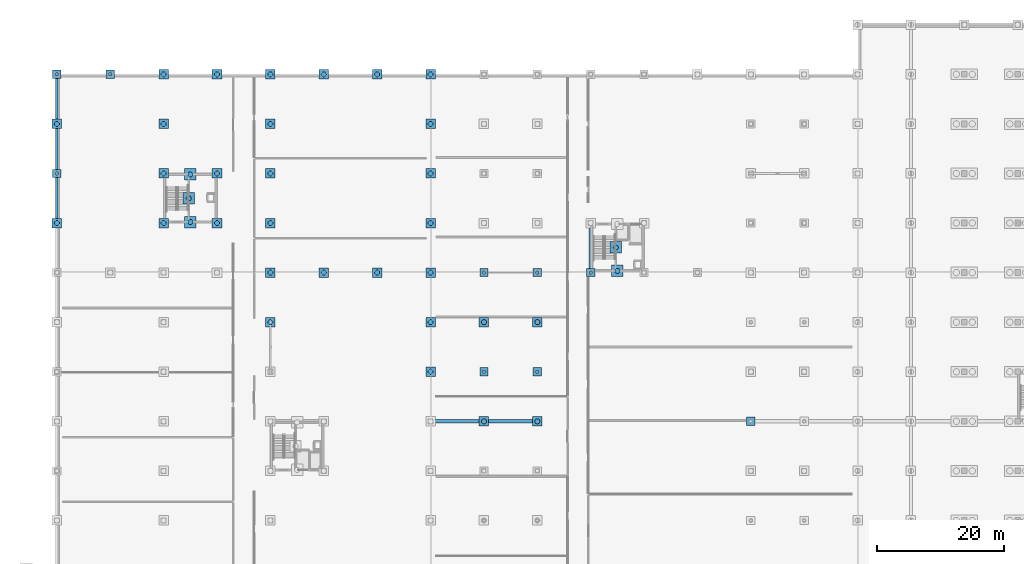
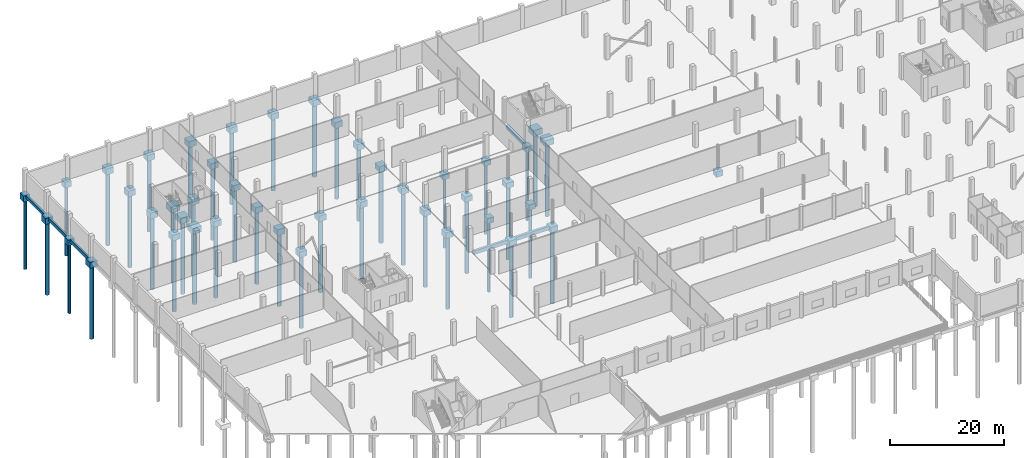
# One storey, part 4 of 48: 50 footings, 43 piles.
"""IFC4 building model written with IfcOpenShell, lengths in metres."""

from ifc_helpers import new_model, si_unit, direction, frame, origin, origin_2d, place, context, subcontext, project, spatial, polyline, rectangle, circle, outline, extrude, material, material_profile, profile_set, type_object, element, save


model = new_model("IFC4")

# Units and contexts
model_context = context("Model", 3, precision=1e-05, world=origin(), true_north=direction((0.0, 1.0)))
body_context = subcontext(model_context, "Body", "Model", "MODEL_VIEW")
ifc_project = project(units=[si_unit("LENGTHUNIT", "METRE"), si_unit("AREAUNIT", "SQUARE_METRE"), si_unit("VOLUMEUNIT", "CUBIC_METRE"), si_unit("PLANEANGLEUNIT", "RADIAN"), si_unit("MASSUNIT", "GRAM", prefix="KILO")], contexts=[model_context])

# Site, building, storey
site_placement = place(None, origin())
site = spatial("IfcSite", under=ifc_project, at=site_placement, CompositionType="ELEMENT")
building_placement = place(site_placement, origin())
building = spatial("IfcBuilding", under=site, at=building_placement, Name="Nabrawat Pavilion Hospital", CompositionType="ELEMENT")
storey_placement = place(building_placement, frame((0.0, 0.0, -5.10009765625)))
storey = spatial("IfcBuildingStorey", under=building, at=storey_placement, Name="B1", CompositionType="ELEMENT", Elevation=-5.10009765625)

# Piles
ifc_material = material(Name="Concrete C35/45", Category="concrete")
ifc_material_profile_1 = material_profile(ifc_material, circle(Radius=0.300048828125, at=origin_2d()), Name="DIA 600")
ifc_profile_set_1 = profile_set([ifc_material_profile_1], Name="Concrete C35/45")
pile_type_1 = type_object("IfcPileType", Name="Bored Concrete Pile D600", PredefinedType="BORED", material=ifc_profile_set_1)
for number, where, z_axis, x_axis, name in (
    (1, (0.0, 101.39990234375, -1.39990234375), (0.0, 0.0, -1.0), (1.0, 0.0, 0.0), "Bored Pile P-600 0014"),
    (2, (0.0, 117.0, -1.39990234375), (0.0, 0.0, -1.0), (1.0, 0.0, 0.0), "Bored Pile P-600 0016"),
    (3, (8.39990234375, 117.0, -1.39990234375), (0.0, 0.0, -1.0), (1.0, 0.0, 0.0), "Bored Pile P-600 0020"),
):
    element("IfcPile", number, at=place(storey_placement, frame(where, z_axis=z_axis, x_axis=x_axis)), inside=storey, type_object=pile_type_1, Name=name, PredefinedType="BORED", context=body_context, shape_type="SweptSolid", body=[
        extrude(circle(Radius=0.300048828125, at=origin_2d()), origin(), (0.0, 0.0, 1.0), 15.0),
    ])
for number, where, z_axis, x_axis, name in (
    (4, (67.199951171875, 70.199951171875, -1.27001953125), (0.0, 0.0, -1.0), (1.0, 0.0, 0.0), "Bored Pile P-600 0094"),
    (5, (67.199951171875, 85.800048828125, -1.27001953125), (0.0, 0.0, -1.0), (1.0, 0.0, 0.0), "Bored Pile P-600 0096"),
    (6, (75.60009765625, 70.199951171875, -1.27001953125), (0.0, 0.0, -1.0), (1.0, 0.0, 0.0), "Bored Pile P-600 0108"),
    (7, (75.60009765625, 85.800048828125, -1.27001953125), (0.0, 0.0, -1.0), (1.0, 0.0, 0.0), "Bored Pile P-600 0110"),
    (8, (84.0, 85.800048828125, -1.27001953125), (0.0, 0.0, -1.0), (1.0, 0.0, 0.0), "Bored Pile P-600 0118"),
):
    element("IfcPile", number, at=place(storey_placement, frame(where, z_axis=z_axis, x_axis=x_axis)), inside=storey, type_object=pile_type_1, Name=name, PredefinedType="BORED", context=body_context, shape_type="SweptSolid", body=[
        extrude(circle(Radius=0.300048828125, at=origin_2d()), origin(), (0.0, 0.0, 1.0), 15.1298828125),
    ])
ifc_material_profile_2 = material_profile(ifc_material, circle(Radius=0.39990234375, at=origin_2d()), Name="DIA 800")
ifc_profile_set_2 = profile_set([ifc_material_profile_2], Name="Concrete C35/45")
pile_type_2 = type_object("IfcPileType", Name="Bored Concrete Pile D800", PredefinedType="BORED", material=ifc_profile_set_2)
for number, where, z_axis, x_axis, name in (
    (9, (0.0, 93.60009765625, -1.39990234375), (0.0, 0.0, -1.0), (1.0, 0.0, 0.0), "Bored Pile P-800 0013"),
    (10, (0.0, 109.199951171875, -1.39990234375), (0.0, 0.0, -1.0), (1.0, 0.0, 0.0), "Bored Pile P-800 0015"),
    (11, (16.800048828125, 93.60009765625, -1.39990234375), (0.0, 0.0, -1.0), (1.0, 0.0, 0.0), "Bored Pile P-800 0033"),
    (12, (16.800048828125, 101.39990234375, -1.39990234375), (0.0, 0.0, -1.0), (1.0, 0.0, 0.0), "Bored Pile P-800 0034"),
    (13, (16.800048828125, 109.199951171875, -1.39990234375), (0.0, 0.0, -1.0), (1.0, 0.0, 0.0), "Bored Pile P-800 0035"),
    (14, (16.800048828125, 117.0, -1.39990234375), (0.0, 0.0, -1.0), (1.0, 0.0, 0.0), "Bored Pile P-800 0036"),
    (15, (25.199951171875, 93.60009765625, -1.39990234375), (0.0, 0.0, -1.0), (1.0, 0.0, 0.0), "Bored Pile P-800 0042"),
    (16, (25.199951171875, 101.39990234375, -1.39990234375), (0.0, 0.0, -1.0), (1.0, 0.0, 0.0), "Bored Pile P-800 0043"),
    (17, (25.199951171875, 117.0, -1.39990234375), (0.0, 0.0, -1.0), (1.0, 0.0, 0.0), "Bored Pile P-800 0044"),
    (18, (33.60009765625, 78.0, -1.39990234375), (0.0, 0.0, -1.0), (1.0, 0.0, 0.0), "Bored Pile P-800 0055"),
    (19, (33.60009765625, 85.800048828125, -1.39990234375), (0.0, 0.0, -1.0), (1.0, 0.0, 0.0), "Bored Pile P-800 0056"),
    (20, (33.60009765625, 93.60009765625, -1.39990234375), (0.0, 0.0, -1.0), (1.0, 0.0, 0.0), "Bored Pile P-800 0057"),
    (21, (33.60009765625, 101.39990234375, -1.39990234375), (0.0, 0.0, -1.0), (1.0, 0.0, 0.0), "Bored Pile P-800 0058"),
    (22, (33.60009765625, 109.199951171875, -1.39990234375), (0.0, 0.0, -1.0), (1.0, 0.0, 0.0), "Bored Pile P-800 0059"),
    (23, (33.60009765625, 117.0, -1.39990234375), (0.0, 0.0, -1.0), (1.0, 0.0, 0.0), "Bored Pile P-800 0060"),
    (24, (42.0, 85.800048828125, -1.39990234375), (0.0, 0.0, -1.0), (1.0, 0.0, 0.0), "Bored Pile P-800 0065"),
    (25, (42.0, 117.0, -1.39990234375), (0.0, 0.0, -1.0), (1.0, 0.0, 0.0), "Bored Pile P-800 0066"),
    (26, (50.39990234375, 85.800048828125, -1.39990234375), (0.0, 0.0, -1.0), (1.0, 0.0, 0.0), "Bored Pile P-800 0069"),
    (27, (50.39990234375, 117.0, -1.39990234375), (0.0, 0.0, -1.0), (1.0, 0.0, 0.0), "Bored Pile P-800 0070"),
    (28, (58.800048828125, 70.199951171875, -1.39990234375), (0.0, 0.0, -1.0), (1.0, 0.0, 0.0), "Bored Pile P-800 0076"),
    (29, (58.800048828125, 78.0, -1.39990234375), (0.0, 0.0, -1.0), (1.0, 0.0, 0.0), "Bored Pile P-800 0077"),
    (30, (58.800048828125, 85.800048828125, -1.39990234375), (0.0, 0.0, -1.0), (1.0, 0.0, 0.0), "Bored Pile P-800 0078"),
    (31, (58.800048828125, 93.60009765625, -1.39990234375), (0.0, 0.0, -1.0), (1.0, 0.0, 0.0), "Bored Pile P-800 0079"),
    (32, (58.800048828125, 101.39990234375, -1.39990234375), (0.0, 0.0, -1.0), (1.0, 0.0, 0.0), "Bored Pile P-800 0080"),
    (33, (58.800048828125, 109.199951171875, -1.39990234375), (0.0, 0.0, -1.0), (1.0, 0.0, 0.0), "Bored Pile P-800 0081"),
    (34, (58.800048828125, 117.0, -1.39990234375), (0.0, 0.0, -1.0), (1.0, 0.0, 0.0), "Bored Pile P-800 0082"),
):
    element("IfcPile", number, at=place(storey_placement, frame(where, z_axis=z_axis, x_axis=x_axis)), inside=storey, type_object=pile_type_2, Name=name, PredefinedType="BORED", context=body_context, shape_type="SweptSolid", body=[
        extrude(circle(Radius=0.39990234375, at=origin_2d()), origin(), (0.0, 0.0, 1.0), 15.699951171875),
    ])
for number, where, z_axis, x_axis, name in (
    (35, (67.199951171875, 62.39990234375, -1.27001953125), (0.0, 0.0, -1.0), (1.0, 0.0, 0.0), "Bored Pile P-800 0093"),
    (36, (67.199951171875, 78.0, -1.27001953125), (0.0, 0.0, -1.0), (1.0, 0.0, 0.0), "Bored Pile P-800 0095"),
    (37, (75.60009765625, 62.39990234375, -1.27001953125), (0.0, 0.0, -1.0), (1.0, 0.0, 0.0), "Bored Pile P-800 0107"),
    (38, (75.60009765625, 78.0, -1.27001953125), (0.0, 0.0, -1.0), (1.0, 0.0, 0.0), "Bored Pile P-800 0109"),
):
    element("IfcPile", number, at=place(storey_placement, frame(where, z_axis=z_axis, x_axis=x_axis)), inside=storey, type_object=pile_type_2, Name=name, PredefinedType="BORED", context=body_context, shape_type="SweptSolid", body=[
        extrude(circle(Radius=0.39990234375, at=origin_2d()), origin(), (0.0, 0.0, 1.0), 15.830078125),
    ])
for number, where, z_axis, x_axis, name in (
    (39, (88.199951171875, 86.070068359375, -1.369873046875), (0.0, 0.0, -1.0), (1.0, 0.0, 0.0), "Bored Pile P-800 0381"),
    (40, (87.949951171875, 89.760009765625, -1.369873046875), (0.0, 0.0, -1.0), (1.0, 0.0, 0.0), "Bored Pile P-800 0383"),
    (41, (21.0, 93.75, -1.369873046875), (0.0, 0.0, -1.0), (1.0, 0.0, 0.0), "Bored Pile P-800 0393"),
    (42, (21.0, 101.25, -1.369873046875), (0.0, 0.0, -1.0), (1.0, 0.0, 0.0), "Bored Pile P-800 0394"),
    (43, (20.75, 97.5, -1.369873046875), (0.0, 0.0, -1.0), (1.0, 0.0, 0.0), "Bored Pile P-800 0395"),
):
    element("IfcPile", number, at=place(storey_placement, frame(where, z_axis=z_axis, x_axis=x_axis)), inside=storey, type_object=pile_type_2, Name=name, PredefinedType="BORED", context=body_context, shape_type="SweptSolid", body=[
        extrude(circle(Radius=0.39990234375, at=origin_2d()), origin(), (0.0, 0.0, 1.0), 15.72998046875),
    ])

# Footings
ifc_material_profile_3 = material_profile(ifc_material, rectangle(XDim=0.39990234375, YDim=0.699951171875, at=origin_2d()), Name="RC 400x700")
ifc_profile_set_3 = profile_set([ifc_material_profile_3], Name="Concrete C35/45")
footing_type_1 = type_object("IfcFootingType", Name="Concrete Ground Tie Beam 400x700", PredefinedType="FOOTING_BEAM", material=ifc_profile_set_3)
for number, where, z_axis, x_axis, name in (
    (44, (0.0, 94.330078125, -0.56982421875), (0.0, 1.0, 0.0), (-1.0, 0.0, 0.0), "B1 Ground Tie Beam Y 055"),
    (45, (0.0, 102.030029296875, -0.56982421875), (0.0, 1.0, 0.0), (-1.0, 0.0, 0.0), "B1 Ground Tie Beam Y 056"),
):
    element("IfcFooting", number, at=place(storey_placement, frame(where, z_axis=z_axis, x_axis=x_axis)), inside=storey, type_object=footing_type_1, Name=name, PredefinedType="FOOTING_BEAM", context=body_context, shape_type="SweptSolid", body=[
        extrude(rectangle(XDim=0.39990234375, YDim=0.699951171875, at=origin_2d()), origin(), (0.0, 0.0, 1.0), 6.43994140625),
    ])
footing_1_placement = place(storey_placement, frame((0.0, 109.929931640625, -0.56982421875), z_axis=(0.0, 1.0, 0.0), x_axis=(-1.0, 0.0, 0.0)))
element("IfcFooting", 46, at=footing_1_placement, inside=storey, type_object=footing_type_1, Name="B1 Ground Tie Beam Y 057", PredefinedType="FOOTING_BEAM", context=body_context, shape_type="SweptSolid", body=[
    extrude(rectangle(XDim=0.39990234375, YDim=0.699951171875, at=origin_2d()), origin(), (0.0, 0.0, 1.0), 6.440185546875),
])
ifc_material_profile_4 = material_profile(ifc_material, rectangle(XDim=0.5, YDim=0.800048828125, at=origin_2d()), Name="RC 500x800")
ifc_profile_set_4 = profile_set([ifc_material_profile_4], Name="Concrete C35/45")
footing_type_2 = type_object("IfcFootingType", Name="Concrete Ground Tie Beam 500x800", PredefinedType="FOOTING_BEAM", material=ifc_profile_set_4)
footing_2_placement = place(storey_placement, frame((59.530029296875, 62.39990234375, -0.619873046875), z_axis=(1.0, 0.0, 0.0), x_axis=(0.0, 1.0, 0.0)))
element("IfcFooting", 47, at=footing_2_placement, inside=storey, type_object=footing_type_2, Name="B1 Ground Tie Beam X 025", PredefinedType="FOOTING_BEAM", context=body_context, shape_type="SweptSolid", body=[
    extrude(rectangle(XDim=0.5, YDim=0.800048828125, at=origin_2d()), origin(), (0.0, 0.0, 1.0), 6.93994140625),
])
footing_3_placement = place(storey_placement, frame((67.929931640625, 62.39990234375, -0.619873046875), z_axis=(1.0, 0.0, 0.0), x_axis=(0.0, 1.0, 0.0)))
element("IfcFooting", 48, at=footing_3_placement, inside=storey, type_object=footing_type_2, Name="B1 Ground Tie Beam X 026", PredefinedType="FOOTING_BEAM", context=body_context, shape_type="SweptSolid", body=[
    extrude(rectangle(XDim=0.5, YDim=0.800048828125, at=origin_2d()), origin(), (0.0, 0.0, 1.0), 6.940185546875),
])
footing_4_placement = place(storey_placement, frame((84.0, 86.429931640625, -0.619873046875), z_axis=(0.0, 1.0, 0.0), x_axis=(-1.0, 0.0, 0.0)))
element("IfcFooting", 49, at=footing_4_placement, inside=storey, type_object=footing_type_2, Name="B1 Ground Tie Beam Y 058", PredefinedType="FOOTING_BEAM", context=body_context, shape_type="SweptSolid", body=[
    extrude(rectangle(XDim=0.5, YDim=0.800048828125, at=origin_2d()), origin(), (0.0, 0.0, 1.0), 6.440185546875),
])
footing_type_3 = type_object("IfcFootingType", Name="Reinforced Concrete Pile Cap 1300x1300x1150", PredefinedType="PILE_CAP", material=ifc_material)
footing_5_placement = place(storey_placement, frame((0.0, 0.0, -1.369873046875)))
element("IfcFooting", 50, at=footing_5_placement, inside=storey, type_object=footing_type_3, Name="B1 Combined Pile Cap CAP-094", PredefinedType="PILE_CAP", context=body_context, shape_type="SweptSolid", body=[
    extrude(outline(polyline([(67.85009765625, 69.550048828125), (67.85009765625, 70.85009765625), (66.550048828125, 70.85009765625), (66.550048828125, 69.550048828125), (67.85009765625, 69.550048828125)])), origin(), (0.0, 0.0, 1.0), 1.14990234375),
])
footing_6_placement = place(storey_placement, frame((0.0, 0.0, -1.369873046875)))
element("IfcFooting", 51, at=footing_6_placement, inside=storey, type_object=footing_type_3, Name="B1 Combined Pile Cap CAP-096", PredefinedType="PILE_CAP", context=body_context, shape_type="SweptSolid", body=[
    extrude(outline(polyline([(67.85009765625, 85.14990234375), (67.85009765625, 86.449951171875), (66.550048828125, 86.449951171875), (66.550048828125, 85.14990234375), (67.85009765625, 85.14990234375)])), origin(), (0.0, 0.0, 1.0), 1.14990234375),
])
footing_7_placement = place(storey_placement, frame((0.0, 0.0, -1.369873046875)))
element("IfcFooting", 52, at=footing_7_placement, inside=storey, type_object=footing_type_3, Name="B1 Combined Pile Cap CAP-108", PredefinedType="PILE_CAP", context=body_context, shape_type="SweptSolid", body=[
    extrude(outline(polyline([(76.25, 69.550048828125), (76.25, 70.85009765625), (74.949951171875, 70.85009765625), (74.949951171875, 69.550048828125), (76.25, 69.550048828125)])), origin(), (0.0, 0.0, 1.0), 1.14990234375),
])
footing_8_placement = place(storey_placement, frame((0.0, 0.0, -1.369873046875)))
element("IfcFooting", 53, at=footing_8_placement, inside=storey, type_object=footing_type_3, Name="B1 Combined Pile Cap CAP-110", PredefinedType="PILE_CAP", context=body_context, shape_type="SweptSolid", body=[
    extrude(outline(polyline([(76.25, 85.14990234375), (76.25, 86.449951171875), (74.949951171875, 86.449951171875), (74.949951171875, 85.14990234375), (76.25, 85.14990234375)])), origin(), (0.0, 0.0, 1.0), 1.14990234375),
])
footing_9_placement = place(storey_placement, frame((0.0, 0.0, -1.369873046875)))
element("IfcFooting", 54, at=footing_9_placement, inside=storey, type_object=footing_type_3, Name="B1 Combined Pile Cap CAP-118", PredefinedType="PILE_CAP", context=body_context, shape_type="SweptSolid", body=[
    extrude(outline(polyline([(84.64990234375, 85.14990234375), (84.64990234375, 86.449951171875), (83.35009765625, 86.449951171875), (83.35009765625, 85.14990234375), (84.64990234375, 85.14990234375)])), origin(), (0.0, 0.0, 1.0), 1.14990234375),
])
footing_10_placement = place(storey_placement, frame((0.0, 0.0, -1.369873046875)))
element("IfcFooting", 55, at=footing_10_placement, inside=storey, type_object=footing_type_3, Name="B1 Combined Pile Cap CAP-140", PredefinedType="PILE_CAP", context=body_context, shape_type="SweptSolid", body=[
    extrude(outline(polyline([(109.85009765625, 61.75), (109.85009765625, 63.050048828125), (108.550048828125, 63.050048828125), (108.550048828125, 61.75), (109.85009765625, 61.75)])), origin(), (0.0, 0.0, 1.0), 1.14990234375),
])
footing_type_4 = type_object("IfcFootingType", Name="Reinforced Concrete Pile Cap 1300x1300x1280", PredefinedType="PILE_CAP", material=ifc_material)
footing_11_placement = place(storey_placement, frame((0.0, 0.0, -1.5)))
element("IfcFooting", 56, at=footing_11_placement, inside=storey, type_object=footing_type_4, Name="B1 Combined Pile Cap CAP-014", PredefinedType="PILE_CAP", context=body_context, shape_type="SweptSolid", body=[
    extrude(outline(polyline([(0.64990234375, 100.75), (0.64990234375, 102.050048828125), (-0.64990234375, 102.050048828125), (-0.64990234375, 100.75), (0.64990234375, 100.75)])), origin(), (0.0, 0.0, 1.0), 1.280029296875),
])
footing_12_placement = place(storey_placement, frame((0.0, 0.0, -1.5)))
element("IfcFooting", 57, at=footing_12_placement, inside=storey, type_object=footing_type_4, Name="B1 Combined Pile Cap CAP-016", PredefinedType="PILE_CAP", context=body_context, shape_type="SweptSolid", body=[
    extrude(outline(polyline([(0.64990234375, 116.35009765625), (0.64990234375, 117.64990234375), (-0.64990234375, 117.64990234375), (-0.64990234375, 116.35009765625), (0.64990234375, 116.35009765625)])), origin(), (0.0, 0.0, 1.0), 1.280029296875),
])
footing_13_placement = place(storey_placement, frame((0.0, 0.0, -1.5)))
element("IfcFooting", 58, at=footing_13_placement, inside=storey, type_object=footing_type_4, Name="B1 Combined Pile Cap CAP-020", PredefinedType="PILE_CAP", context=body_context, shape_type="SweptSolid", body=[
    extrude(outline(polyline([(9.050048828125, 116.35009765625), (9.050048828125, 117.64990234375), (7.75, 117.64990234375), (7.75, 116.35009765625), (9.050048828125, 116.35009765625)])), origin(), (0.0, 0.0, 1.0), 1.280029296875),
])
footing_type_5 = type_object("IfcFootingType", Name="Reinforced Concrete Pile Cap 1500x1500x1150", PredefinedType="PILE_CAP", material=ifc_material)
footing_14_placement = place(storey_placement, frame((0.0, 0.0, -1.369873046875)))
element("IfcFooting", 59, at=footing_14_placement, inside=storey, type_object=footing_type_5, Name="B1 Combined Pile Cap CAP-093", PredefinedType="PILE_CAP", context=body_context, shape_type="SweptSolid", body=[
    extrude(outline(polyline([(67.949951171875, 61.64990234375), (67.949951171875, 63.14990234375), (66.449951171875, 63.14990234375), (66.449951171875, 61.64990234375), (67.949951171875, 61.64990234375)])), origin(), (0.0, 0.0, 1.0), 1.14990234375),
])
footing_15_placement = place(storey_placement, frame((0.0, 0.0, -1.369873046875)))
element("IfcFooting", 60, at=footing_15_placement, inside=storey, type_object=footing_type_5, Name="B1 Combined Pile Cap CAP-095", PredefinedType="PILE_CAP", context=body_context, shape_type="SweptSolid", body=[
    extrude(outline(polyline([(67.949951171875, 77.25), (67.949951171875, 78.75), (66.449951171875, 78.75), (66.449951171875, 77.25), (67.949951171875, 77.25)])), origin(), (0.0, 0.0, 1.0), 1.14990234375),
])
footing_16_placement = place(storey_placement, frame((0.0, 0.0, -1.369873046875)))
element("IfcFooting", 61, at=footing_16_placement, inside=storey, type_object=footing_type_5, Name="B1 Combined Pile Cap CAP-107", PredefinedType="PILE_CAP", context=body_context, shape_type="SweptSolid", body=[
    extrude(outline(polyline([(76.35009765625, 61.64990234375), (76.35009765625, 63.14990234375), (74.85009765625, 63.14990234375), (74.85009765625, 61.64990234375), (76.35009765625, 61.64990234375)])), origin(), (0.0, 0.0, 1.0), 1.14990234375),
])
footing_17_placement = place(storey_placement, frame((0.0, 0.0, -1.369873046875)))
element("IfcFooting", 62, at=footing_17_placement, inside=storey, type_object=footing_type_5, Name="B1 Combined Pile Cap CAP-109", PredefinedType="PILE_CAP", context=body_context, shape_type="SweptSolid", body=[
    extrude(outline(polyline([(76.35009765625, 77.25), (76.35009765625, 78.75), (74.85009765625, 78.75), (74.85009765625, 77.25), (76.35009765625, 77.25)])), origin(), (0.0, 0.0, 1.0), 1.14990234375),
])
footing_type_6 = type_object("IfcFootingType", Name="Reinforced Concrete Pile Cap 1500x1500x1280", PredefinedType="PILE_CAP", material=ifc_material)
footing_18_placement = place(storey_placement, frame((0.0, 0.0, -1.5)))
element("IfcFooting", 63, at=footing_18_placement, inside=storey, type_object=footing_type_6, Name="B1 Combined Pile Cap CAP-013", PredefinedType="PILE_CAP", context=body_context, shape_type="SweptSolid", body=[
    extrude(outline(polyline([(0.75, 92.85009765625), (0.75, 94.35009765625), (-0.75, 94.35009765625), (-0.75, 92.85009765625), (0.75, 92.85009765625)])), origin(), (0.0, 0.0, 1.0), 1.280029296875),
])
footing_19_placement = place(storey_placement, frame((0.0, 0.0, -1.5)))
element("IfcFooting", 64, at=footing_19_placement, inside=storey, type_object=footing_type_6, Name="B1 Combined Pile Cap CAP-015", PredefinedType="PILE_CAP", context=body_context, shape_type="SweptSolid", body=[
    extrude(outline(polyline([(0.75, 108.449951171875), (0.75, 109.949951171875), (-0.75, 109.949951171875), (-0.75, 108.449951171875), (0.75, 108.449951171875)])), origin(), (0.0, 0.0, 1.0), 1.280029296875),
])
footing_20_placement = place(storey_placement, frame((0.0, 0.0, -1.5)))
element("IfcFooting", 65, at=footing_20_placement, inside=storey, type_object=footing_type_6, Name="B1 Combined Pile Cap CAP-033", PredefinedType="PILE_CAP", context=body_context, shape_type="SweptSolid", body=[
    extrude(outline(polyline([(17.550048828125, 92.85009765625), (17.550048828125, 94.35009765625), (16.050048828125, 94.35009765625), (16.050048828125, 92.85009765625), (17.550048828125, 92.85009765625)])), origin(), (0.0, 0.0, 1.0), 1.280029296875),
])
footing_21_placement = place(storey_placement, frame((0.0, 0.0, -1.5)))
element("IfcFooting", 66, at=footing_21_placement, inside=storey, type_object=footing_type_6, Name="B1 Combined Pile Cap CAP-034", PredefinedType="PILE_CAP", context=body_context, shape_type="SweptSolid", body=[
    extrude(outline(polyline([(17.550048828125, 100.64990234375), (17.550048828125, 102.14990234375), (16.050048828125, 102.14990234375), (16.050048828125, 100.64990234375), (17.550048828125, 100.64990234375)])), origin(), (0.0, 0.0, 1.0), 1.280029296875),
])
footing_22_placement = place(storey_placement, frame((0.0, 0.0, -1.5)))
element("IfcFooting", 67, at=footing_22_placement, inside=storey, type_object=footing_type_6, Name="B1 Combined Pile Cap CAP-035", PredefinedType="PILE_CAP", context=body_context, shape_type="SweptSolid", body=[
    extrude(outline(polyline([(17.550048828125, 108.449951171875), (17.550048828125, 109.949951171875), (16.050048828125, 109.949951171875), (16.050048828125, 108.449951171875), (17.550048828125, 108.449951171875)])), origin(), (0.0, 0.0, 1.0), 1.280029296875),
])
footing_23_placement = place(storey_placement, frame((0.0, 0.0, -1.5)))
element("IfcFooting", 68, at=footing_23_placement, inside=storey, type_object=footing_type_6, Name="B1 Combined Pile Cap CAP-036", PredefinedType="PILE_CAP", context=body_context, shape_type="SweptSolid", body=[
    extrude(outline(polyline([(17.550048828125, 116.25), (17.550048828125, 117.75), (16.050048828125, 117.75), (16.050048828125, 116.25), (17.550048828125, 116.25)])), origin(), (0.0, 0.0, 1.0), 1.280029296875),
])
footing_24_placement = place(storey_placement, frame((0.0, 0.0, -1.5)))
element("IfcFooting", 69, at=footing_24_placement, inside=storey, type_object=footing_type_6, Name="B1 Combined Pile Cap CAP-042", PredefinedType="PILE_CAP", context=body_context, shape_type="SweptSolid", body=[
    extrude(outline(polyline([(25.949951171875, 92.85009765625), (25.949951171875, 94.35009765625), (24.449951171875, 94.35009765625), (24.449951171875, 92.85009765625), (25.949951171875, 92.85009765625)])), origin(), (0.0, 0.0, 1.0), 1.280029296875),
])
footing_25_placement = place(storey_placement, frame((0.0, 0.0, -1.5)))
element("IfcFooting", 70, at=footing_25_placement, inside=storey, type_object=footing_type_6, Name="B1 Combined Pile Cap CAP-043", PredefinedType="PILE_CAP", context=body_context, shape_type="SweptSolid", body=[
    extrude(outline(polyline([(25.949951171875, 100.64990234375), (25.949951171875, 102.14990234375), (24.449951171875, 102.14990234375), (24.449951171875, 100.64990234375), (25.949951171875, 100.64990234375)])), origin(), (0.0, 0.0, 1.0), 1.280029296875),
])
footing_26_placement = place(storey_placement, frame((0.0, 0.0, -1.5)))
element("IfcFooting", 71, at=footing_26_placement, inside=storey, type_object=footing_type_6, Name="B1 Combined Pile Cap CAP-044", PredefinedType="PILE_CAP", context=body_context, shape_type="SweptSolid", body=[
    extrude(outline(polyline([(25.949951171875, 116.25), (25.949951171875, 117.75), (24.449951171875, 117.75), (24.449951171875, 116.25), (25.949951171875, 116.25)])), origin(), (0.0, 0.0, 1.0), 1.280029296875),
])
footing_27_placement = place(storey_placement, frame((0.0, 0.0, -1.5)))
element("IfcFooting", 72, at=footing_27_placement, inside=storey, type_object=footing_type_6, Name="B1 Combined Pile Cap CAP-055", PredefinedType="PILE_CAP", context=body_context, shape_type="SweptSolid", body=[
    extrude(outline(polyline([(34.35009765625, 77.25), (34.35009765625, 78.75), (32.85009765625, 78.75), (32.85009765625, 77.25), (34.35009765625, 77.25)])), origin(), (0.0, 0.0, 1.0), 1.280029296875),
])
footing_28_placement = place(storey_placement, frame((0.0, 0.0, -1.5)))
element("IfcFooting", 73, at=footing_28_placement, inside=storey, type_object=footing_type_6, Name="B1 Combined Pile Cap CAP-056", PredefinedType="PILE_CAP", context=body_context, shape_type="SweptSolid", body=[
    extrude(outline(polyline([(34.35009765625, 85.050048828125), (34.35009765625, 86.550048828125), (32.85009765625, 86.550048828125), (32.85009765625, 85.050048828125), (34.35009765625, 85.050048828125)])), origin(), (0.0, 0.0, 1.0), 1.280029296875),
])
footing_29_placement = place(storey_placement, frame((0.0, 0.0, -1.5)))
element("IfcFooting", 74, at=footing_29_placement, inside=storey, type_object=footing_type_6, Name="B1 Combined Pile Cap CAP-057", PredefinedType="PILE_CAP", context=body_context, shape_type="SweptSolid", body=[
    extrude(outline(polyline([(34.35009765625, 92.85009765625), (34.35009765625, 94.35009765625), (32.85009765625, 94.35009765625), (32.85009765625, 92.85009765625), (34.35009765625, 92.85009765625)])), origin(), (0.0, 0.0, 1.0), 1.280029296875),
])
footing_30_placement = place(storey_placement, frame((0.0, 0.0, -1.5)))
element("IfcFooting", 75, at=footing_30_placement, inside=storey, type_object=footing_type_6, Name="B1 Combined Pile Cap CAP-058", PredefinedType="PILE_CAP", context=body_context, shape_type="SweptSolid", body=[
    extrude(outline(polyline([(34.35009765625, 100.64990234375), (34.35009765625, 102.14990234375), (32.85009765625, 102.14990234375), (32.85009765625, 100.64990234375), (34.35009765625, 100.64990234375)])), origin(), (0.0, 0.0, 1.0), 1.280029296875),
])
footing_31_placement = place(storey_placement, frame((0.0, 0.0, -1.5)))
element("IfcFooting", 76, at=footing_31_placement, inside=storey, type_object=footing_type_6, Name="B1 Combined Pile Cap CAP-059", PredefinedType="PILE_CAP", context=body_context, shape_type="SweptSolid", body=[
    extrude(outline(polyline([(34.35009765625, 108.449951171875), (34.35009765625, 109.949951171875), (32.85009765625, 109.949951171875), (32.85009765625, 108.449951171875), (34.35009765625, 108.449951171875)])), origin(), (0.0, 0.0, 1.0), 1.280029296875),
])
footing_32_placement = place(storey_placement, frame((0.0, 0.0, -1.5)))
element("IfcFooting", 77, at=footing_32_placement, inside=storey, type_object=footing_type_6, Name="B1 Combined Pile Cap CAP-060", PredefinedType="PILE_CAP", context=body_context, shape_type="SweptSolid", body=[
    extrude(outline(polyline([(34.35009765625, 116.25), (34.35009765625, 117.75), (32.85009765625, 117.75), (32.85009765625, 116.25), (34.35009765625, 116.25)])), origin(), (0.0, 0.0, 1.0), 1.280029296875),
])
footing_33_placement = place(storey_placement, frame((0.0, 0.0, -1.5)))
element("IfcFooting", 78, at=footing_33_placement, inside=storey, type_object=footing_type_6, Name="B1 Combined Pile Cap CAP-065", PredefinedType="PILE_CAP", context=body_context, shape_type="SweptSolid", body=[
    extrude(outline(polyline([(42.75, 85.050048828125), (42.75, 86.550048828125), (41.25, 86.550048828125), (41.25, 85.050048828125), (42.75, 85.050048828125)])), origin(), (0.0, 0.0, 1.0), 1.280029296875),
])
footing_34_placement = place(storey_placement, frame((0.0, 0.0, -1.5)))
element("IfcFooting", 79, at=footing_34_placement, inside=storey, type_object=footing_type_6, Name="B1 Combined Pile Cap CAP-066", PredefinedType="PILE_CAP", context=body_context, shape_type="SweptSolid", body=[
    extrude(outline(polyline([(42.75, 116.25), (42.75, 117.75), (41.25, 117.75), (41.25, 116.25), (42.75, 116.25)])), origin(), (0.0, 0.0, 1.0), 1.280029296875),
])
footing_35_placement = place(storey_placement, frame((0.0, 0.0, -1.5)))
element("IfcFooting", 80, at=footing_35_placement, inside=storey, type_object=footing_type_6, Name="B1 Combined Pile Cap CAP-069", PredefinedType="PILE_CAP", context=body_context, shape_type="SweptSolid", body=[
    extrude(outline(polyline([(51.14990234375, 85.050048828125), (51.14990234375, 86.550048828125), (49.64990234375, 86.550048828125), (49.64990234375, 85.050048828125), (51.14990234375, 85.050048828125)])), origin(), (0.0, 0.0, 1.0), 1.280029296875),
])
footing_36_placement = place(storey_placement, frame((0.0, 0.0, -1.5)))
element("IfcFooting", 81, at=footing_36_placement, inside=storey, type_object=footing_type_6, Name="B1 Combined Pile Cap CAP-070", PredefinedType="PILE_CAP", context=body_context, shape_type="SweptSolid", body=[
    extrude(outline(polyline([(51.14990234375, 116.25), (51.14990234375, 117.75), (49.64990234375, 117.75), (49.64990234375, 116.25), (51.14990234375, 116.25)])), origin(), (0.0, 0.0, 1.0), 1.280029296875),
])
footing_37_placement = place(storey_placement, frame((0.0, 0.0, -1.5)))
element("IfcFooting", 82, at=footing_37_placement, inside=storey, type_object=footing_type_6, Name="B1 Combined Pile Cap CAP-076", PredefinedType="PILE_CAP", context=body_context, shape_type="SweptSolid", body=[
    extrude(outline(polyline([(59.550048828125, 69.449951171875), (59.550048828125, 70.949951171875), (58.050048828125, 70.949951171875), (58.050048828125, 69.449951171875), (59.550048828125, 69.449951171875)])), origin(), (0.0, 0.0, 1.0), 1.280029296875),
])
footing_38_placement = place(storey_placement, frame((0.0, 0.0, -1.5)))
element("IfcFooting", 83, at=footing_38_placement, inside=storey, type_object=footing_type_6, Name="B1 Combined Pile Cap CAP-077", PredefinedType="PILE_CAP", context=body_context, shape_type="SweptSolid", body=[
    extrude(outline(polyline([(59.550048828125, 77.25), (59.550048828125, 78.75), (58.050048828125, 78.75), (58.050048828125, 77.25), (59.550048828125, 77.25)])), origin(), (0.0, 0.0, 1.0), 1.280029296875),
])
footing_39_placement = place(storey_placement, frame((0.0, 0.0, -1.5)))
element("IfcFooting", 84, at=footing_39_placement, inside=storey, type_object=footing_type_6, Name="B1 Combined Pile Cap CAP-078", PredefinedType="PILE_CAP", context=body_context, shape_type="SweptSolid", body=[
    extrude(outline(polyline([(59.550048828125, 85.050048828125), (59.550048828125, 86.550048828125), (58.050048828125, 86.550048828125), (58.050048828125, 85.050048828125), (59.550048828125, 85.050048828125)])), origin(), (0.0, 0.0, 1.0), 1.280029296875),
])
footing_40_placement = place(storey_placement, frame((0.0, 0.0, -1.5)))
element("IfcFooting", 85, at=footing_40_placement, inside=storey, type_object=footing_type_6, Name="B1 Combined Pile Cap CAP-079", PredefinedType="PILE_CAP", context=body_context, shape_type="SweptSolid", body=[
    extrude(outline(polyline([(59.550048828125, 92.85009765625), (59.550048828125, 94.35009765625), (58.050048828125, 94.35009765625), (58.050048828125, 92.85009765625), (59.550048828125, 92.85009765625)])), origin(), (0.0, 0.0, 1.0), 1.280029296875),
])
footing_41_placement = place(storey_placement, frame((0.0, 0.0, -1.5)))
element("IfcFooting", 86, at=footing_41_placement, inside=storey, type_object=footing_type_6, Name="B1 Combined Pile Cap CAP-080", PredefinedType="PILE_CAP", context=body_context, shape_type="SweptSolid", body=[
    extrude(outline(polyline([(59.550048828125, 100.64990234375), (59.550048828125, 102.14990234375), (58.050048828125, 102.14990234375), (58.050048828125, 100.64990234375), (59.550048828125, 100.64990234375)])), origin(), (0.0, 0.0, 1.0), 1.280029296875),
])
footing_42_placement = place(storey_placement, frame((0.0, 0.0, -1.5)))
element("IfcFooting", 87, at=footing_42_placement, inside=storey, type_object=footing_type_6, Name="B1 Combined Pile Cap CAP-081", PredefinedType="PILE_CAP", context=body_context, shape_type="SweptSolid", body=[
    extrude(outline(polyline([(59.550048828125, 108.449951171875), (59.550048828125, 109.949951171875), (58.050048828125, 109.949951171875), (58.050048828125, 108.449951171875), (59.550048828125, 108.449951171875)])), origin(), (0.0, 0.0, 1.0), 1.280029296875),
])
footing_43_placement = place(storey_placement, frame((0.0, 0.0, -1.5)))
element("IfcFooting", 88, at=footing_43_placement, inside=storey, type_object=footing_type_6, Name="B1 Combined Pile Cap CAP-082", PredefinedType="PILE_CAP", context=body_context, shape_type="SweptSolid", body=[
    extrude(outline(polyline([(59.550048828125, 116.25), (59.550048828125, 117.75), (58.050048828125, 117.75), (58.050048828125, 116.25), (59.550048828125, 116.25)])), origin(), (0.0, 0.0, 1.0), 1.280029296875),
])
footing_type_7 = type_object("IfcFootingType", Name="Reinforced Concrete Pile Cap 1800x1800x1250", PredefinedType="PILE_CAP", material=ifc_material)
footing_44_placement = place(storey_placement, frame((0.0, 0.0, -1.469970703125)))
element("IfcFooting", 89, at=footing_44_placement, inside=storey, type_object=footing_type_7, Name="B1 Core Shear Wall Pile Cap CAP-CORE-07", PredefinedType="PILE_CAP", context=body_context, shape_type="SweptSolid", body=[
    extrude(outline(polyline([(89.10009765625, 85.169921875), (89.10009765625, 86.969970703125), (87.300048828125, 86.969970703125), (87.300048828125, 85.169921875), (89.10009765625, 85.169921875)])), origin(), (0.0, 0.0, 1.0), 1.25),
])
footing_45_placement = place(storey_placement, frame((0.0, 0.0, -1.469970703125)))
element("IfcFooting", 90, at=footing_45_placement, inside=storey, type_object=footing_type_7, Name="B1 Core Shear Wall Pile Cap CAP-CORE-09", PredefinedType="PILE_CAP", context=body_context, shape_type="SweptSolid", body=[
    extrude(outline(polyline([(88.85009765625, 88.860107421875), (88.85009765625, 90.659912109375), (87.050048828125, 90.659912109375), (87.050048828125, 88.860107421875), (88.85009765625, 88.860107421875)])), origin(), (0.0, 0.0, 1.0), 1.25),
])
footing_46_placement = place(storey_placement, frame((0.0, 0.0, -1.469970703125)))
element("IfcFooting", 91, at=footing_46_placement, inside=storey, type_object=footing_type_7, Name="B1 Core Shear Wall Pile Cap CAP-CORE-19", PredefinedType="PILE_CAP", context=body_context, shape_type="SweptSolid", body=[
    extrude(outline(polyline([(21.89990234375, 92.85009765625), (21.89990234375, 94.64990234375), (20.10009765625, 94.64990234375), (20.10009765625, 92.85009765625), (21.89990234375, 92.85009765625)])), origin(), (0.0, 0.0, 1.0), 1.25),
])
footing_47_placement = place(storey_placement, frame((0.0, 0.0, -1.469970703125)))
element("IfcFooting", 92, at=footing_47_placement, inside=storey, type_object=footing_type_7, Name="B1 Core Shear Wall Pile Cap CAP-CORE-20", PredefinedType="PILE_CAP", context=body_context, shape_type="SweptSolid", body=[
    extrude(outline(polyline([(21.89990234375, 100.35009765625), (21.89990234375, 102.14990234375), (20.10009765625, 102.14990234375), (20.10009765625, 100.35009765625), (21.89990234375, 100.35009765625)])), origin(), (0.0, 0.0, 1.0), 1.25),
])
footing_48_placement = place(storey_placement, frame((0.0, 0.0, -1.469970703125)))
element("IfcFooting", 93, at=footing_48_placement, inside=storey, type_object=footing_type_7, Name="B1 Core Shear Wall Pile Cap CAP-CORE-21", PredefinedType="PILE_CAP", context=body_context, shape_type="SweptSolid", body=[
    extrude(outline(polyline([(21.64990234375, 96.60009765625), (21.64990234375, 98.39990234375), (19.85009765625, 98.39990234375), (19.85009765625, 96.60009765625), (21.64990234375, 96.60009765625)])), origin(), (0.0, 0.0, 1.0), 1.25),
])

save(model, "model.ifc")
